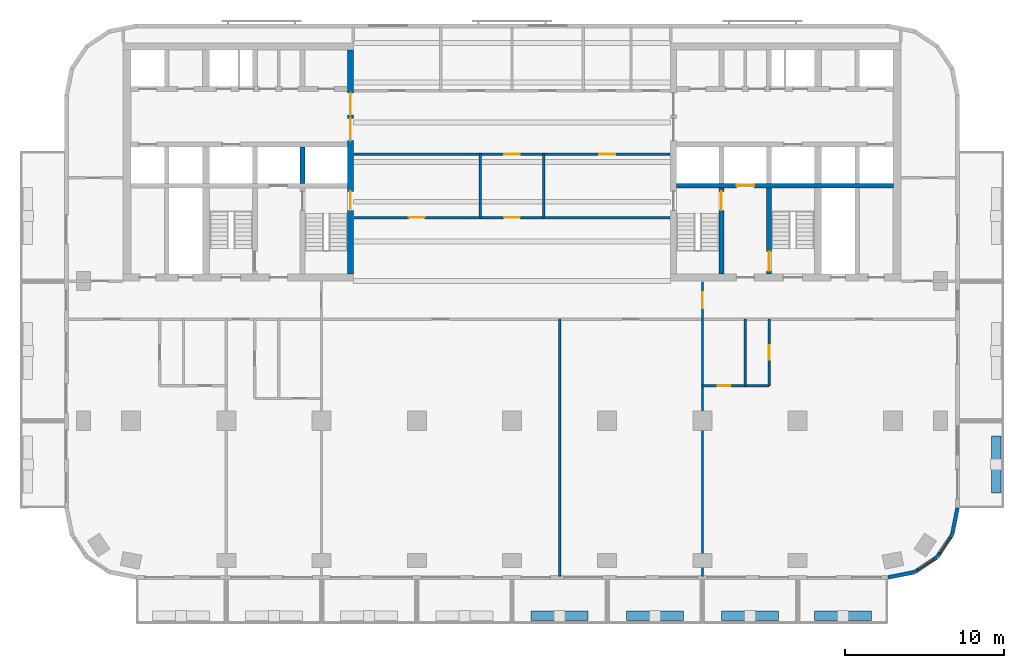
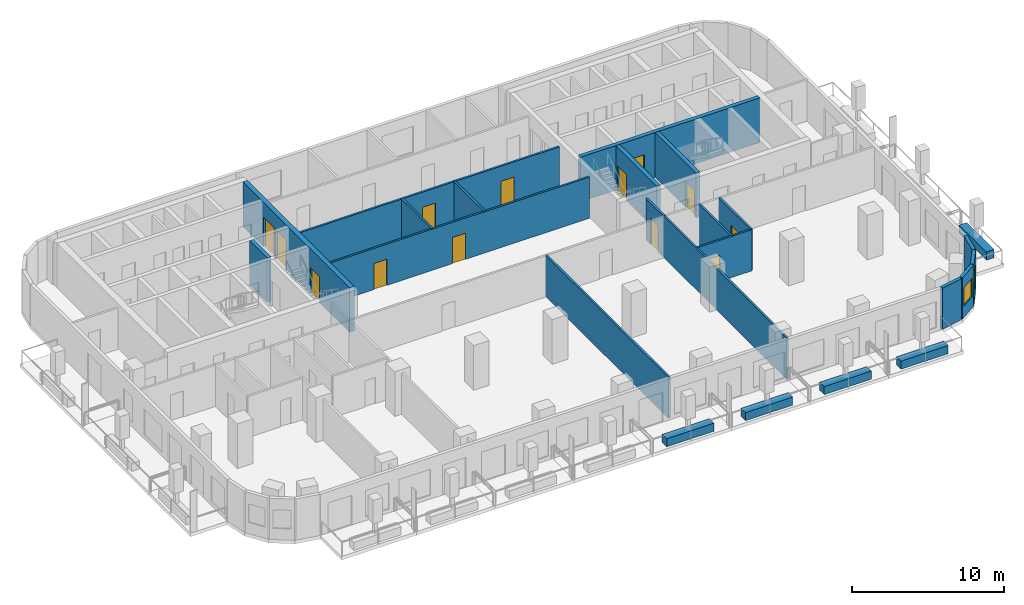
# One storey, part 4 of 11: 24 walls, 13 doors, 2 windows, 15 openings.
"""IFC4 building model written with IfcOpenShell, lengths in metres."""

from ifc_helpers import new_model, si_unit, direction, frame, frame_2d, origin, place, context, subcontext, project, spatial, rectangle, extrude, material, layer, layer_set, type_object, element, fill, save


model = new_model("IFC4")

# Units and contexts
model_context = context("Model", 3, precision=1e-05, world=origin(), true_north=direction((0.0, 1.0)))
body_context = subcontext(model_context, "Body", "Model", "MODEL_VIEW")
ifc_project = project(units=[si_unit("LENGTHUNIT", "METRE"), si_unit("AREAUNIT", "SQUARE_METRE"), si_unit("VOLUMEUNIT", "CUBIC_METRE"), si_unit("PLANEANGLEUNIT", "RADIAN"), si_unit("MASSUNIT", "GRAM", prefix="KILO")], contexts=[model_context])

# Site, building, storey
site_placement = place(None, origin())
site = spatial("IfcSite", under=ifc_project, at=site_placement, CompositionType="ELEMENT")
building_placement = place(site_placement, origin())
building = spatial("IfcBuilding", under=site, at=building_placement, Name="Torana Hotel and Residences", CompositionType="ELEMENT")
storey_placement = place(building_placement, frame((0.0, 0.0, 166.800048828125)))
storey = spatial("IfcBuildingStorey", under=building, at=storey_placement, Name="L43", CompositionType="ELEMENT", Elevation=166.800048828125)

# Wall
ifc_material_1 = material(Name="Concrete C70/85", Category="concrete")
ifc_layer_1 = layer(ifc_material_1, 0.300048828125)
ifc_layer_set_1 = layer_set([ifc_layer_1], Name="CORE WALL 300 C70/85")
wall_type_1 = type_object("IfcWallType", Name="CORE WALL 300 C70/85", PredefinedType="SHEAR", material=ifc_layer_set_1)
wall_1_placement = place(storey_placement, frame((-13.199951171875, -8.85009765625, 0.0), z_axis=(0.0, 0.0, 1.0), x_axis=(0.0, 1.0, 0.0)))
element("IfcWall", 1, at=wall_1_placement, inside=storey, type_object=wall_type_1, Name="Core wall W x3.05-S", PredefinedType="SHEAR", context=body_context, shape_type="SweptSolid", body=[
    extrude(rectangle(XDim=2.300048828125, YDim=0.300048828125, at=frame_2d((1.14990234375, 0.0))), origin(), (0.0, 0.0, 1.0), 3.599853515625),
])

# Wall, opening, door
wall_2_placement = place(storey_placement, frame((10.35009765625, -9.0, 0.0), z_axis=(0.0, 0.0, 1.0), x_axis=(1.0, 0.0, 0.0)))
wall_2 = element("IfcWall", 2, at=wall_2_placement, inside=storey, type_object=wall_type_1, Name="Core wall E band", PredefinedType="SHEAR", context=body_context, shape_type="SweptSolid", body=[
    extrude(rectangle(XDim=13.699951171875, YDim=0.300048828125, at=frame_2d((6.85009765625, 0.0))), origin(), (0.0, 0.0, 1.0), 3.599853515625),
])
opening_1_placement = place(wall_2_placement, frame((3.800048828125, 0.0, 0.0)))
opening_1 = element("IfcOpeningElement", 3, at=opening_1_placement, cuts=wall_2, Name="Opening LD", PredefinedType="OPENING", context=body_context, shape_type="SweptSolid", body=[
    extrude(rectangle(XDim=1.10009765625, YDim=2.10009765625, at=frame_2d((0.550048828125, 1.050048828125))), frame((0.0, 0.159912109375, 0.0), z_axis=(0.0, -1.0, 0.0), x_axis=(1.0, 0.0, 0.0)), (0.0, 0.0, 1.0), 0.320068359375),
])
ifc_material_2 = material(Name="Stainless steel 316", Category="steel")
door_type_1 = type_object("IfcDoorType", Name="LIFT LANDING DOOR LD 1100x2100", OperationType="DOUBLE_DOOR_SLIDING", PredefinedType="USERDEFINED", material=ifc_material_2)
door_1_placement = place(opening_1_placement, origin())
door_1 = element("IfcDoor", 4, at=door_1_placement, inside=storey, type_object=door_type_1, Name="Lift landing door FF2 L43", ObjectType="LIFT LANDING DOOR", OperationType="DOUBLE_DOOR_SLIDING", OverallHeight=2.10009765625, OverallWidth=1.10009765625, PredefinedType="USERDEFINED", context=body_context, shape_type="SweptSolid", body=[
    extrude(rectangle(XDim=1.10009765625, YDim=2.10009765625, at=frame_2d((0.550048828125, 1.050048828125))), frame((0.0, 0.02490234375, 0.0), z_axis=(0.0, -1.0, 0.0), x_axis=(1.0, 0.0, 0.0)), (0.0, 0.0, 1.0), 0.050048828125),
])
fill(opening_1, door_1)

wall_3_placement = place(storey_placement, frame((13.199951171875, -14.550048828125, 0.0), z_axis=(0.0, 0.0, 1.0), x_axis=(0.0, 1.0, 0.0)))
wall_3 = element("IfcWall", 5, at=wall_3_placement, inside=storey, type_object=wall_type_1, Name="Core wall E x3.05-band", PredefinedType="SHEAR", context=body_context, shape_type="SweptSolid", body=[
    extrude(rectangle(XDim=5.400146484375, YDim=0.300048828125, at=frame_2d((2.7001953125, 0.0))), origin(), (0.0, 0.0, 1.0), 3.599853515625),
])
opening_2_placement = place(wall_3_placement, frame((4.0, 0.0, 0.0)))
opening_2 = element("IfcOpeningElement", 6, at=opening_2_placement, cuts=wall_3, Name="Opening L43-29", PredefinedType="OPENING", context=body_context, shape_type="SweptSolid", body=[
    extrude(rectangle(XDim=1.199951171875, YDim=2.10009765625, at=frame_2d((0.60009765625, 1.050048828125))), frame((0.0, 0.159912109375, 0.0), z_axis=(0.0, -1.0, 0.0), x_axis=(1.0, 0.0, 0.0)), (0.0, 0.0, 1.0), 0.320068359375),
])
ifc_material_3 = material(Name="Steel S235", Category="steel")
door_type_2 = type_object("IfcDoorType", Name="STAIR FIRE DOOR D3 1200x2100", OperationType="SINGLE_SWING_LEFT", PredefinedType="DOOR", material=ifc_material_3)
door_2_placement = place(opening_2_placement, origin())
door_2 = element("IfcDoor", 7, at=door_2_placement, inside=storey, type_object=door_type_2, Name="Stair-A-lobby door L43", OperationType="SINGLE_SWING_LEFT", OverallHeight=2.10009765625, OverallWidth=1.199951171875, PredefinedType="DOOR", context=body_context, shape_type="SweptSolid", body=[
    extrude(rectangle(XDim=1.199951171875, YDim=2.10009765625, at=frame_2d((0.60009765625, 1.050048828125))), frame((0.0, 0.02490234375, 0.0), z_axis=(0.0, -1.0, 0.0), x_axis=(1.0, 0.0, 0.0)), (0.0, 0.0, 1.0), 0.050048828125),
])
fill(opening_2, door_2)

wall_4_placement = place(storey_placement, frame((16.199951171875, -14.550048828125, 0.0), z_axis=(0.0, 0.0, 1.0), x_axis=(0.0, 1.0, 0.0)))
wall_4 = element("IfcWall", 8, at=wall_4_placement, inside=storey, type_object=wall_type_1, Name="Core wall E x6.05-band", PredefinedType="SHEAR", context=body_context, shape_type="SweptSolid", body=[
    extrude(rectangle(XDim=5.400146484375, YDim=0.300048828125, at=frame_2d((2.7001953125, 0.0))), origin(), (0.0, 0.0, 1.0), 3.599853515625),
])
opening_3_placement = place(wall_4_placement, frame((0.199951171875, 0.0, 0.0)))
opening_3 = element("IfcOpeningElement", 9, at=opening_3_placement, cuts=wall_4, Name="Opening L43-30", PredefinedType="OPENING", context=body_context, shape_type="SweptSolid", body=[
    extrude(rectangle(XDim=1.199951171875, YDim=2.10009765625, at=frame_2d((0.60009765625, 1.050048828125))), frame((0.0, 0.159912109375, 0.0), z_axis=(0.0, -1.0, 0.0), x_axis=(1.0, 0.0, 0.0)), (0.0, 0.0, 1.0), 0.320068359375),
])
door_3_placement = place(opening_3_placement, frame((0.60009765625, 0.0, 0.0), z_axis=(0.0, 0.0, 1.0), x_axis=(-1.0, 0.0, 0.0)))
door_3 = element("IfcDoor", 10, at=door_3_placement, inside=storey, type_object=door_type_2, Name="Stair-B-lobby door L43", OperationType="SINGLE_SWING_LEFT", OverallHeight=2.10009765625, OverallWidth=1.199951171875, PredefinedType="DOOR", context=body_context, shape_type="SweptSolid", body=[
    extrude(rectangle(XDim=1.199951171875, YDim=2.10009765625, at=frame_2d((0.0, 1.050048828125))), frame((0.0, -0.02490234375, 0.0), z_axis=(0.0, 1.0, 0.0), x_axis=(-1.0, 0.0, 0.0)), (0.0, 0.0, 1.0), 0.050048828125),
])
fill(opening_3, door_3)

# Wall, openings, doors
ifc_material_4 = material(Name="Concrete C70/85", Category="concrete")
ifc_layer_2 = layer(ifc_material_4, 0.35009765625)
ifc_layer_set_2 = layer_set([ifc_layer_2], Name="CORE WALL 350 C70/85")
wall_type_2 = type_object("IfcWallType", Name="CORE WALL 350 C70/85", PredefinedType="SHEAR", material=ifc_layer_set_2)
wall_5_placement = place(storey_placement, frame((-10.175048828125, -14.550048828125, 0.0), z_axis=(0.0, 0.0, 1.0), x_axis=(0.0, 1.0, 0.0)))
wall_5 = element("IfcWall", 11, at=wall_5_placement, inside=storey, type_object=wall_type_2, Name="Core wall W arch", PredefinedType="SHEAR", context=body_context, shape_type="SweptSolid", body=[
    extrude(rectangle(XDim=14.10009765625, YDim=0.35009765625, at=frame_2d((7.050048828125, 0.0))), origin(), (0.0, 0.0, 1.0), 3.599853515625),
])
opening_4_placement = place(wall_5_placement, frame((8.39990234375, 0.0, 0.0)))
opening_4 = element("IfcOpeningElement", 12, at=opening_4_placement, cuts=wall_5, Name="Opening L43-01", PredefinedType="OPENING", context=body_context, shape_type="SweptSolid", body=[
    extrude(rectangle(XDim=1.39990234375, YDim=2.39990234375, at=frame_2d((0.699951171875, 1.199951171875))), frame((0.0, 0.18505859375, 0.0), z_axis=(0.0, -1.0, 0.0), x_axis=(1.0, 0.0, 0.0)), (0.0, 0.0, 1.0), 0.3701171875),
])
opening_5_placement = place(wall_5_placement, frame((10.0, 0.0, 0.0)))
opening_5 = element("IfcOpeningElement", 13, at=opening_5_placement, cuts=wall_5, Name="Opening L43-02", PredefinedType="OPENING", context=body_context, shape_type="SweptSolid", body=[
    extrude(rectangle(XDim=1.39990234375, YDim=2.39990234375, at=frame_2d((0.699951171875, 1.199951171875))), frame((0.0, 0.18505859375, 0.0), z_axis=(0.0, -1.0, 0.0), x_axis=(1.0, 0.0, 0.0)), (0.0, 0.0, 1.0), 0.3701171875),
])
opening_6_placement = place(wall_5_placement, frame((4.0, 0.0, 0.0)))
opening_6 = element("IfcOpeningElement", 14, at=opening_6_placement, cuts=wall_5, Name="Opening L43-03", PredefinedType="OPENING", context=body_context, shape_type="SweptSolid", body=[
    extrude(rectangle(XDim=1.199951171875, YDim=2.10009765625, at=frame_2d((0.60009765625, 1.050048828125))), frame((0.0, 0.18505859375, 0.0), z_axis=(0.0, -1.0, 0.0), x_axis=(1.0, 0.0, 0.0)), (0.0, 0.0, 1.0), 0.3701171875),
])
ifc_material_5 = material(Name="Steel S235", Category="steel")
door_type_3 = type_object("IfcDoorType", Name="LOBBY FIRE DOOR D4 1400x2400", OperationType="DOUBLE_DOOR_SINGLE_SWING", PredefinedType="DOOR", material=ifc_material_5)
door_4_placement = place(opening_4_placement, origin())
door_4 = element("IfcDoor", 15, at=door_4_placement, inside=storey, type_object=door_type_3, Name="Lobby-1 door L43", OperationType="DOUBLE_DOOR_SINGLE_SWING", OverallHeight=2.39990234375, OverallWidth=1.39990234375, PredefinedType="DOOR", context=body_context, shape_type="SweptSolid", body=[
    extrude(rectangle(XDim=1.39990234375, YDim=2.39990234375, at=frame_2d((0.699951171875, 1.199951171875))), frame((0.0, 0.02490234375, 0.0), z_axis=(0.0, -1.0, 0.0), x_axis=(1.0, 0.0, 0.0)), (0.0, 0.0, 1.0), 0.050048828125),
])
fill(opening_4, door_4)
door_5_placement = place(opening_5_placement, origin())
door_5 = element("IfcDoor", 16, at=door_5_placement, inside=storey, type_object=door_type_3, Name="Lobby-2 door L43", OperationType="DOUBLE_DOOR_SINGLE_SWING", OverallHeight=2.39990234375, OverallWidth=1.39990234375, PredefinedType="DOOR", context=body_context, shape_type="SweptSolid", body=[
    extrude(rectangle(XDim=1.39990234375, YDim=2.39990234375, at=frame_2d((0.699951171875, 1.199951171875))), frame((0.0, 0.02490234375, 0.0), z_axis=(0.0, -1.0, 0.0), x_axis=(1.0, 0.0, 0.0)), (0.0, 0.0, 1.0), 0.050048828125),
])
fill(opening_5, door_5)
door_6_placement = place(opening_6_placement, origin())
door_6 = element("IfcDoor", 17, at=door_6_placement, inside=storey, type_object=door_type_2, Name="Stair-A door L43", OperationType="SINGLE_SWING_LEFT", OverallHeight=2.10009765625, OverallWidth=1.199951171875, PredefinedType="DOOR", context=body_context, shape_type="SweptSolid", body=[
    extrude(rectangle(XDim=1.199951171875, YDim=2.10009765625, at=frame_2d((0.60009765625, 1.050048828125))), frame((0.0, 0.02490234375, 0.0), z_axis=(0.0, -1.0, 0.0), x_axis=(1.0, 0.0, 0.0)), (0.0, 0.0, 1.0), 0.050048828125),
])
fill(opening_6, door_6)

# Wall
ifc_material_6 = material(Name="Black aluminium composite panel", Category="aluminium")
ifc_layer_3 = layer(ifc_material_6, 0.00390625, Name="Cladding", Category="cladding")
ifc_material_7 = material(Name="Ventilated air cavity")
ifc_layer_4 = layer(ifc_material_7, 0.0400390625, Name="Ventilated cavity", Category="cavity")
ifc_material_8 = material(Name="Mineral wool insulation")
ifc_layer_5 = layer(ifc_material_8, 0.090087890625, Name="Insulation", Category="insulation")
ifc_material_9 = material(Name="Steel S280GD", Category="steel")
ifc_layer_6 = layer(ifc_material_9, 0.092041015625, Name="Steel stud frame", Category="structure")
ifc_material_10 = material(Name="Fire rated plasterboard")
ifc_layer_7 = layer(ifc_material_10, 0.011962890625, Name="Inner board", Category="finish")
ifc_layer_8 = layer(ifc_material_10, 0.011962890625, Name="Second board", Category="finish")
ifc_layer_set_3 = layer_set([ifc_layer_3, ifc_layer_4, ifc_layer_5, ifc_layer_6, ifc_layer_7, ifc_layer_8], Name="EW1 EXTERNAL WALL BLACK METAL CLAD 250")
wall_type_3 = type_object("IfcWallType", Name="EW1 EXTERNAL WALL BLACK METAL CLAD 250", PredefinedType="SOLIDWALL", material=ifc_layer_set_3)
wall_6_placement = place(storey_placement, frame((23.69970703125, -33.672607421875, 0.0), z_axis=(0.0, 0.0, 1.0), x_axis=(0.980775640221, 0.19513878023, 0.0)))
element("IfcWall", 18, at=wall_6_placement, inside=storey, type_object=wall_type_3, Name="External wall L43 e0.15", PredefinedType="SOLIDWALL", context=body_context, shape_type="SweptSolid", body=[
    extrude(rectangle(XDim=1.681396484375, YDim=0.25, at=frame_2d((0.8408203125, 0.0))), origin(), (0.0, 0.0, 1.0), 3.320068359375),
])

# Wall, opening, window
wall_7_placement = place(storey_placement, frame((25.39404296875, -33.325927734375, 0.0), z_axis=(0.0, 0.0, 1.0), x_axis=(0.831482937015, 0.55555029066, 0.0)))
wall_7 = element("IfcWall", 19, at=wall_7_placement, inside=storey, type_object=wall_type_3, Name="External wall L43 e0.16", PredefinedType="SOLIDWALL", context=body_context, shape_type="SweptSolid", body=[
    extrude(rectangle(XDim=1.65625, YDim=0.25, at=frame_2d((0.828125, 0.0))), origin(), (0.0, 0.0, 1.0), 3.320068359375),
])
opening_7_placement = place(wall_7_placement, frame((0.228271484375, 0.0, 0.89990234375)))
opening_7 = element("IfcOpeningElement", 20, at=opening_7_placement, cuts=wall_7, Name="Opening W5", PredefinedType="OPENING", context=body_context, shape_type="SweptSolid", body=[
    extrude(rectangle(XDim=1.199951171875, YDim=1.5, at=frame_2d((0.60009765625, 0.75))), frame((0.0, 0.135009765625, 0.0), z_axis=(0.0, -1.0, 0.0), x_axis=(1.0, 0.0, 0.0)), (0.0, 0.0, 1.0), 0.27001953125),
])
ifc_material_11 = material(Name="Dark glass in black aluminium frame", Category="aluminium")
window_type = type_object("IfcWindowType", Name="W5 CORNER FACET WINDOW 1200x1500", PartitioningType="SINGLE_PANEL", PredefinedType="WINDOW", material=ifc_material_11)
window_1_placement = place(opening_7_placement, origin())
window_1 = element("IfcWindow", 21, at=window_1_placement, inside=storey, type_object=window_type, Name="Window L43 e0.16", OverallHeight=1.5, OverallWidth=1.199951171875, PartitioningType="SINGLE_PANEL", PredefinedType="WINDOW", context=body_context, shape_type="SweptSolid", body=[
    extrude(rectangle(XDim=1.199951171875, YDim=1.5, at=frame_2d((0.60009765625, 0.75))), frame((0.0, 0.030029296875, 0.0), z_axis=(0.0, -1.0, 0.0), x_axis=(1.0, 0.0, 0.0)), (0.0, 0.0, 1.0), 0.06005859375),
])
fill(opening_7, window_1)

wall_8_placement = place(storey_placement, frame((26.8056640625, -32.37109375, 0.0), z_axis=(0.0, 0.0, 1.0), x_axis=(0.55555029066, 0.831482937015, 0.0)))
wall_8 = element("IfcWall", 22, at=wall_8_placement, inside=storey, type_object=wall_type_3, Name="External wall L43 e0.17", PredefinedType="SOLIDWALL", context=body_context, shape_type="SweptSolid", body=[
    extrude(rectangle(XDim=1.65625, YDim=0.25, at=frame_2d((0.828125, 0.0))), origin(), (0.0, 0.0, 1.0), 3.320068359375),
])
opening_8_placement = place(wall_8_placement, frame((0.228271484375, 0.0, 0.89990234375)))
opening_8 = element("IfcOpeningElement", 23, at=opening_8_placement, cuts=wall_8, Name="Opening W5", PredefinedType="OPENING", context=body_context, shape_type="SweptSolid", body=[
    extrude(rectangle(XDim=1.199951171875, YDim=1.5, at=frame_2d((0.60009765625, 0.75))), frame((0.0, 0.135009765625, 0.0), z_axis=(0.0, -1.0, 0.0), x_axis=(1.0, 0.0, 0.0)), (0.0, 0.0, 1.0), 0.27001953125),
])
window_2_placement = place(opening_8_placement, origin())
window_2 = element("IfcWindow", 24, at=window_2_placement, inside=storey, type_object=window_type, Name="Window L43 e0.17", OverallHeight=1.5, OverallWidth=1.199951171875, PartitioningType="SINGLE_PANEL", PredefinedType="WINDOW", context=body_context, shape_type="SweptSolid", body=[
    extrude(rectangle(XDim=1.199951171875, YDim=1.5, at=frame_2d((0.60009765625, 0.75))), frame((0.0, 0.030029296875, 0.0), z_axis=(0.0, -1.0, 0.0), x_axis=(1.0, 0.0, 0.0)), (0.0, 0.0, 1.0), 0.06005859375),
])
fill(opening_8, window_2)

# Wall
wall_9_placement = place(storey_placement, frame((27.74462890625, -30.948974609375, 0.0), z_axis=(0.0, 0.0, 1.0), x_axis=(0.194999110559, 0.980803419081, 0.0)))
element("IfcWall", 25, at=wall_9_placement, inside=storey, type_object=wall_type_3, Name="External wall L43 e0.18", PredefinedType="SOLIDWALL", context=body_context, shape_type="SweptSolid", body=[
    extrude(rectangle(XDim=1.681396484375, YDim=0.25, at=frame_2d((0.8408203125, 0.0))), origin(), (0.0, 0.0, 1.0), 3.320068359375),
])

# Wall, opening, door
ifc_material_12 = material(Name="Gypsum plaster")
ifc_layer_9 = layer(ifc_material_12, 0.014892578125, Name="Plaster", Category="finish")
ifc_material_13 = material(Name="Concrete blockwork", Category="masonry")
ifc_layer_10 = layer(ifc_material_13, 0.1201171875, Name="Blockwork", Category="structure")
ifc_layer_11 = layer(ifc_material_12, 0.014892578125, Name="Plaster", Category="finish")
ifc_layer_set_4 = layer_set([ifc_layer_9, ifc_layer_10, ifc_layer_11], Name="FIRE PARTITION 150 BLOCKWORK")
wall_type_4 = type_object("IfcWallType", Name="FIRE PARTITION 150 BLOCKWORK", PredefinedType="PARTITIONING", material=ifc_layer_set_4)
wall_10_placement = place(storey_placement, frame((12.0, -17.39990234375, 0.0), z_axis=(0.0, 0.0, 1.0), x_axis=(0.0, 1.0, 0.0)))
wall_10 = element("IfcWall", 26, at=wall_10_placement, inside=storey, type_object=wall_type_4, Name="Partition L43", PredefinedType="PARTITIONING", context=body_context, shape_type="SweptSolid", body=[
    extrude(rectangle(XDim=2.349853515625, YDim=0.14990234375, at=frame_2d((1.1748046875, 0.0))), origin(), (0.0, 0.0, 1.0), 3.320068359375),
])
opening_9_placement = place(wall_10_placement, frame((0.699951171875, 0.0, 0.0)))
opening_9 = element("IfcOpeningElement", 27, at=opening_9_placement, cuts=wall_10, Name="Opening L43-35", PredefinedType="OPENING", context=body_context, shape_type="SweptSolid", body=[
    extrude(rectangle(XDim=1.0, YDim=2.10009765625, at=frame_2d((0.5, 1.050048828125))), frame((0.0, 0.0849609375, 0.0), z_axis=(0.0, -1.0, 0.0), x_axis=(1.0, 0.0, 0.0)), (0.0, 0.0, 1.0), 0.169921875),
])
ifc_material_14 = material(Name="Steel S235", Category="steel")
door_type_4 = type_object("IfcDoorType", Name="ENTRY FIRE DOOR D6 1000x2100", OperationType="SINGLE_SWING_LEFT", PredefinedType="DOOR", material=ifc_material_14)
door_7_placement = place(opening_9_placement, origin())
door_7 = element("IfcDoor", 28, at=door_7_placement, inside=storey, type_object=door_type_4, Name="Door L43", OperationType="SINGLE_SWING_RIGHT", OverallHeight=2.10009765625, OverallWidth=1.0, PredefinedType="DOOR", context=body_context, shape_type="SweptSolid", body=[
    extrude(rectangle(XDim=1.0, YDim=2.10009765625, at=frame_2d((0.5, 1.050048828125))), frame((0.0, 0.02490234375, 0.0), z_axis=(0.0, -1.0, 0.0), x_axis=(1.0, 0.0, 0.0)), (0.0, 0.0, 1.0), 0.050048828125),
])
fill(opening_9, door_7)

# Walls
for number, where, z_axis, x_axis, name in (
    (29, (2.0, -11.0, 0.0), (0.0, 0.0, 1.0), (0.0, 1.0, 0.0), "Partition L43"),
    (30, (-2.0, -11.0, 0.0), (0.0, 0.0, 1.0), (0.0, 1.0, 0.0), "Partition L43"),
):
    element("IfcWall", number, at=place(storey_placement, frame(where, z_axis=z_axis, x_axis=x_axis)), inside=storey, type_object=wall_type_4, Name=name, PredefinedType="PARTITIONING", context=body_context, shape_type="SweptSolid", body=[
        extrude(rectangle(XDim=4.0, YDim=0.14990234375, at=frame_2d((2.0, 0.0))), origin(), (0.0, 0.0, 1.0), 3.320068359375),
    ])

# Wall, openings, doors
wall_11_placement = place(storey_placement, frame((-9.949951171875, -11.0, 0.0), z_axis=(0.0, 0.0, 1.0), x_axis=(1.0, 0.0, 0.0)))
wall_11 = element("IfcWall", 31, at=wall_11_placement, inside=storey, type_object=wall_type_4, Name="Partition L43", PredefinedType="PARTITIONING", context=body_context, shape_type="SweptSolid", body=[
    extrude(rectangle(XDim=19.89990234375, YDim=0.14990234375, at=frame_2d((9.949951171875, 0.0))), origin(), (0.0, 0.0, 1.0), 3.320068359375),
])
opening_10_placement = place(wall_11_placement, frame((9.449951171875, 0.0, 0.0)))
opening_10 = element("IfcOpeningElement", 32, at=opening_10_placement, cuts=wall_11, Name="Opening L43-38", PredefinedType="OPENING", context=body_context, shape_type="SweptSolid", body=[
    extrude(rectangle(XDim=1.0, YDim=2.10009765625, at=frame_2d((0.5, 1.050048828125))), frame((0.0, 0.0849609375, 0.0), z_axis=(0.0, -1.0, 0.0), x_axis=(1.0, 0.0, 0.0)), (0.0, 0.0, 1.0), 0.169921875),
])
opening_11_placement = place(wall_11_placement, frame((3.449951171875, 0.0, 0.0)))
opening_11 = element("IfcOpeningElement", 33, at=opening_11_placement, cuts=wall_11, Name="Opening L43-41", PredefinedType="OPENING", context=body_context, shape_type="SweptSolid", body=[
    extrude(rectangle(XDim=1.0, YDim=2.10009765625, at=frame_2d((0.5, 1.050048828125))), frame((0.0, 0.0849609375, 0.0), z_axis=(0.0, -1.0, 0.0), x_axis=(1.0, 0.0, 0.0)), (0.0, 0.0, 1.0), 0.169921875),
])
door_8_placement = place(opening_10_placement, origin())
door_8 = element("IfcDoor", 34, at=door_8_placement, inside=storey, type_object=door_type_4, Name="Door L43", OperationType="SINGLE_SWING_RIGHT", OverallHeight=2.10009765625, OverallWidth=1.0, PredefinedType="DOOR", context=body_context, shape_type="SweptSolid", body=[
    extrude(rectangle(XDim=1.0, YDim=2.10009765625, at=frame_2d((0.5, 1.050048828125))), frame((0.0, 0.02490234375, 0.0), z_axis=(0.0, -1.0, 0.0), x_axis=(1.0, 0.0, 0.0)), (0.0, 0.0, 1.0), 0.050048828125),
])
fill(opening_10, door_8)
door_9_placement = place(opening_11_placement, origin())
door_9 = element("IfcDoor", 35, at=door_9_placement, inside=storey, type_object=door_type_4, Name="Door L43", OperationType="SINGLE_SWING_RIGHT", OverallHeight=2.10009765625, OverallWidth=1.0, PredefinedType="DOOR", context=body_context, shape_type="SweptSolid", body=[
    extrude(rectangle(XDim=1.0, YDim=2.10009765625, at=frame_2d((0.5, 1.050048828125))), frame((0.0, 0.02490234375, 0.0), z_axis=(0.0, -1.0, 0.0), x_axis=(1.0, 0.0, 0.0)), (0.0, 0.0, 1.0), 0.050048828125),
])
fill(opening_11, door_9)

wall_12_placement = place(storey_placement, frame((-9.949951171875, -7.0, 0.0), z_axis=(0.0, 0.0, 1.0), x_axis=(1.0, 0.0, 0.0)))
wall_12 = element("IfcWall", 36, at=wall_12_placement, inside=storey, type_object=wall_type_4, Name="Partition L43", PredefinedType="PARTITIONING", context=body_context, shape_type="SweptSolid", body=[
    extrude(rectangle(XDim=19.89990234375, YDim=0.14990234375, at=frame_2d((9.949951171875, 0.0))), origin(), (0.0, 0.0, 1.0), 3.320068359375),
])
opening_12_placement = place(wall_12_placement, frame((9.449951171875, 0.0, 0.0)))
opening_12 = element("IfcOpeningElement", 37, at=opening_12_placement, cuts=wall_12, Name="Opening L43-42", PredefinedType="OPENING", context=body_context, shape_type="SweptSolid", body=[
    extrude(rectangle(XDim=1.0, YDim=2.10009765625, at=frame_2d((0.5, 1.050048828125))), frame((0.0, 0.0849609375, 0.0), z_axis=(0.0, -1.0, 0.0), x_axis=(1.0, 0.0, 0.0)), (0.0, 0.0, 1.0), 0.169921875),
])
opening_13_placement = place(wall_12_placement, frame((15.449951171875, 0.0, 0.0)))
opening_13 = element("IfcOpeningElement", 38, at=opening_13_placement, cuts=wall_12, Name="Opening L43-43", PredefinedType="OPENING", context=body_context, shape_type="SweptSolid", body=[
    extrude(rectangle(XDim=1.0, YDim=2.10009765625, at=frame_2d((0.5, 1.050048828125))), frame((0.0, 0.0849609375, 0.0), z_axis=(0.0, -1.0, 0.0), x_axis=(1.0, 0.0, 0.0)), (0.0, 0.0, 1.0), 0.169921875),
])
door_10_placement = place(opening_12_placement, origin())
door_10 = element("IfcDoor", 39, at=door_10_placement, inside=storey, type_object=door_type_4, Name="Door L43", OperationType="SINGLE_SWING_RIGHT", OverallHeight=2.10009765625, OverallWidth=1.0, PredefinedType="DOOR", context=body_context, shape_type="SweptSolid", body=[
    extrude(rectangle(XDim=1.0, YDim=2.10009765625, at=frame_2d((0.5, 1.050048828125))), frame((0.0, 0.02490234375, 0.0), z_axis=(0.0, -1.0, 0.0), x_axis=(1.0, 0.0, 0.0)), (0.0, 0.0, 1.0), 0.050048828125),
])
fill(opening_12, door_10)
door_11_placement = place(opening_13_placement, frame((0.5, 0.0, 0.0), z_axis=(0.0, 0.0, 1.0), x_axis=(-1.0, 0.0, 0.0)))
door_11 = element("IfcDoor", 40, at=door_11_placement, inside=storey, type_object=door_type_4, Name="Door L43", OperationType="SINGLE_SWING_LEFT", OverallHeight=2.10009765625, OverallWidth=1.0, PredefinedType="DOOR", context=body_context, shape_type="SweptSolid", body=[
    extrude(rectangle(XDim=1.0, YDim=2.10009765625, at=frame_2d((0.0, 1.050048828125))), frame((0.0, -0.02490234375, 0.0), z_axis=(0.0, 1.0, 0.0), x_axis=(-1.0, 0.0, 0.0)), (0.0, 0.0, 1.0), 0.050048828125),
])
fill(opening_13, door_11)

# Wall, opening, door
ifc_material_15 = material(Name="Gypsum plasterboard")
ifc_layer_12 = layer(ifc_material_15, 0.012451171875, Name="Plasterboard", Category="finish")
ifc_layer_13 = layer(ifc_material_15, 0.012451171875, Name="Plasterboard", Category="finish")
ifc_layer_14 = layer(ifc_material_9, 0.10009765625, Name="Steel studs with mineral wool", Category="insulation")
ifc_layer_15 = layer(ifc_material_15, 0.012451171875, Name="Plasterboard", Category="finish")
ifc_layer_16 = layer(ifc_material_15, 0.012451171875, Name="Plasterboard", Category="finish")
ifc_layer_set_5 = layer_set([ifc_layer_12, ifc_layer_13, ifc_layer_14, ifc_layer_15, ifc_layer_16], Name="PARTITION 150 PLASTERBOARD")
wall_type_5 = type_object("IfcWallType", Name="PARTITION 150 PLASTERBOARD", PredefinedType="PARTITIONING", material=ifc_layer_set_5)
wall_13_placement = place(storey_placement, frame((16.199951171875, -21.60009765625, 0.0), z_axis=(0.0, 0.0, 1.0), x_axis=(0.0, 1.0, 0.0)))
wall_13 = element("IfcWall", 41, at=wall_13_placement, inside=storey, type_object=wall_type_5, Name="Partition L43", PredefinedType="PARTITIONING", context=body_context, shape_type="SweptSolid", body=[
    extrude(rectangle(XDim=4.2001953125, YDim=0.14990234375, at=frame_2d((2.10009765625, 0.0))), origin(), (0.0, 0.0, 1.0), 3.320068359375),
])
opening_14_placement = place(wall_13_placement, frame((1.64990234375, 0.0, 0.0)))
opening_14 = element("IfcOpeningElement", 42, at=opening_14_placement, cuts=wall_13, Name="Opening L43-54", PredefinedType="OPENING", context=body_context, shape_type="SweptSolid", body=[
    extrude(rectangle(XDim=0.89990234375, YDim=2.10009765625, at=frame_2d((0.449951171875, 1.050048828125))), frame((0.0, 0.0849609375, 0.0), z_axis=(0.0, -1.0, 0.0), x_axis=(1.0, 0.0, 0.0)), (0.0, 0.0, 1.0), 0.169921875),
])
ifc_material_16 = material(Name="Timber door, oiled ash", Category="wood")
door_type_5 = type_object("IfcDoorType", Name="ROOM DOOR D7 900x2100", OperationType="SINGLE_SWING_LEFT", PredefinedType="DOOR", material=ifc_material_16)
door_12_placement = place(opening_14_placement, origin())
door_12 = element("IfcDoor", 43, at=door_12_placement, inside=storey, type_object=door_type_5, Name="Door L43", OperationType="SINGLE_SWING_RIGHT", OverallHeight=2.10009765625, OverallWidth=0.89990234375, PredefinedType="DOOR", context=body_context, shape_type="SweptSolid", body=[
    extrude(rectangle(XDim=0.89990234375, YDim=2.10009765625, at=frame_2d((0.449951171875, 1.050048828125))), frame((0.0, 0.02490234375, 0.0), z_axis=(0.0, -1.0, 0.0), x_axis=(1.0, 0.0, 0.0)), (0.0, 0.0, 1.0), 0.050048828125),
])
fill(opening_14, door_12)

# Walls
wall_14_placement = place(storey_placement, frame((14.699951171875, -21.60009765625, 0.0), z_axis=(0.0, 0.0, 1.0), x_axis=(0.0, 1.0, 0.0)))
element("IfcWall", 44, at=wall_14_placement, inside=storey, type_object=wall_type_5, Name="Partition L43", PredefinedType="PARTITIONING", context=body_context, shape_type="SweptSolid", body=[
    extrude(rectangle(XDim=4.2001953125, YDim=0.14990234375, at=frame_2d((2.10009765625, 0.0))), origin(), (0.0, 0.0, 1.0), 3.320068359375),
])
for number, where, z_axis, x_axis, name in (
    (45, (12.0, -33.6201171875, 0.0), (0.0, 0.0, 1.0), (0.0, 1.0, 0.0), "Partition L43"),
    (46, (3.0, -33.6201171875, 0.0), (0.0, 0.0, 1.0), (0.0, 1.0, 0.0), "Partition L43"),
):
    element("IfcWall", number, at=place(storey_placement, frame(where, z_axis=z_axis, x_axis=x_axis)), inside=storey, type_object=wall_type_5, Name=name, PredefinedType="PARTITIONING", context=body_context, shape_type="SweptSolid", body=[
        extrude(rectangle(XDim=16.22021484375, YDim=0.14990234375, at=frame_2d((8.110107421875, 0.0))), origin(), (0.0, 0.0, 1.0), 3.320068359375),
    ])

# Wall, opening, door
wall_15_placement = place(storey_placement, frame((12.0, -21.60009765625, 0.0), z_axis=(0.0, 0.0, 1.0), x_axis=(1.0, 0.0, 0.0)))
wall_15 = element("IfcWall", 47, at=wall_15_placement, inside=storey, type_object=wall_type_5, Name="Partition L43", PredefinedType="PARTITIONING", context=body_context, shape_type="SweptSolid", body=[
    extrude(rectangle(XDim=4.199951171875, YDim=0.14990234375, at=frame_2d((2.10009765625, 0.0))), origin(), (0.0, 0.0, 1.0), 3.320068359375),
])
opening_15_placement = place(wall_15_placement, frame((0.949951171875, 0.0, 0.0)))
opening_15 = element("IfcOpeningElement", 48, at=opening_15_placement, cuts=wall_15, Name="Opening L43-53", PredefinedType="OPENING", context=body_context, shape_type="SweptSolid", body=[
    extrude(rectangle(XDim=0.800048828125, YDim=2.10009765625, at=frame_2d((0.39990234375, 1.050048828125))), frame((0.0, 0.0849609375, 0.0), z_axis=(0.0, -1.0, 0.0), x_axis=(1.0, 0.0, 0.0)), (0.0, 0.0, 1.0), 0.169921875),
])
ifc_material_17 = material(Name="Timber door, painted", Category="wood")
door_type_6 = type_object("IfcDoorType", Name="BATH DOOR D13 800x2100", OperationType="SINGLE_SWING_LEFT", PredefinedType="DOOR", material=ifc_material_17)
door_13_placement = place(opening_15_placement, origin())
door_13 = element("IfcDoor", 49, at=door_13_placement, inside=storey, type_object=door_type_6, Name="Door L43", OperationType="SINGLE_SWING_RIGHT", OverallHeight=2.10009765625, OverallWidth=0.800048828125, PredefinedType="DOOR", context=body_context, shape_type="SweptSolid", body=[
    extrude(rectangle(XDim=0.800048828125, YDim=2.10009765625, at=frame_2d((0.39990234375, 1.050048828125))), frame((0.0, 0.02490234375, 0.0), z_axis=(0.0, -1.0, 0.0), x_axis=(1.0, 0.0, 0.0)), (0.0, 0.0, 1.0), 0.050048828125),
])
fill(opening_15, door_13)

# Walls
ifc_material_18 = material(Name="Concrete C40/50 precast", Category="concrete")
ifc_layer_17 = layer(ifc_material_18, 0.10009765625, Name="Planter shell", Category="structure")
ifc_material_19 = material(Name="Root resistant membrane")
ifc_layer_18 = layer(ifc_material_19, 0.00390625, Name="Waterproofing membrane", Category="membrane")
ifc_material_20 = material(Name="Drainage board with filter fleece")
ifc_layer_19 = layer(ifc_material_20, 0.02001953125, Name="Drainage board", Category="drainage")
ifc_material_21 = material(Name="Growing medium")
ifc_layer_20 = layer(ifc_material_21, 0.47607421875, Name="Planting substrate", Category="soil")
ifc_layer_set_6 = layer_set([ifc_layer_17, ifc_layer_18, ifc_layer_19, ifc_layer_20], Name="PL1 BALCONY PLANTER 600")
wall_type_6 = type_object("IfcWallType", Name="PL1 BALCONY PLANTER 600", PredefinedType="USERDEFINED", material=ifc_layer_set_6)
for number, where, z_axis, x_axis, name in (
    (50, (4.800048828125, -36.10009765625, 0.0), (0.0, 0.0, 1.0), (-1.0, 0.0, 0.0), "Planter 05"),
    (51, (10.800048828125, -36.10009765625, 0.0), (0.0, 0.0, 1.0), (-1.0, 0.0, 0.0), "Planter 06"),
    (52, (16.800048828125, -36.10009765625, 0.0), (0.0, 0.0, 1.0), (-1.0, 0.0, 0.0), "Planter 07"),
):
    element("IfcWall", number, at=place(storey_placement, frame(where, z_axis=z_axis, x_axis=x_axis)), inside=storey, type_object=wall_type_6, Name=name, ObjectType="PLANTER", PredefinedType="USERDEFINED", context=body_context, shape_type="SweptSolid", body=[
        extrude(rectangle(XDim=3.60009765625, YDim=0.60009765625, at=frame_2d((1.800048828125, 0.0))), origin(), (0.0, 0.0, 1.0), 0.64990234375),
    ])
wall_16_placement = place(storey_placement, frame((22.64990234375, -36.10009765625, 0.0), z_axis=(0.0, 0.0, 1.0), x_axis=(-1.0, 0.0, 0.0)))
element("IfcWall", 53, at=wall_16_placement, inside=storey, type_object=wall_type_6, Name="Planter 08", ObjectType="PLANTER", PredefinedType="USERDEFINED", context=body_context, shape_type="SweptSolid", body=[
    extrude(rectangle(XDim=3.599853515625, YDim=0.60009765625, at=frame_2d((1.7998046875, 0.0))), origin(), (0.0, 0.0, 1.0), 0.64990234375),
])
wall_17_placement = place(storey_placement, frame((30.5, -24.75, 0.0), z_axis=(0.0, 0.0, 1.0), x_axis=(0.0, -1.0, 0.0)))
element("IfcWall", 54, at=wall_17_placement, inside=storey, type_object=wall_type_6, Name="Planter 12", ObjectType="PLANTER", PredefinedType="USERDEFINED", context=body_context, shape_type="SweptSolid", body=[
    extrude(rectangle(XDim=3.60009765625, YDim=0.60009765625, at=frame_2d((1.800048828125, 0.0))), origin(), (0.0, 0.0, 1.0), 0.64990234375),
])

save(model, "model.ifc")
